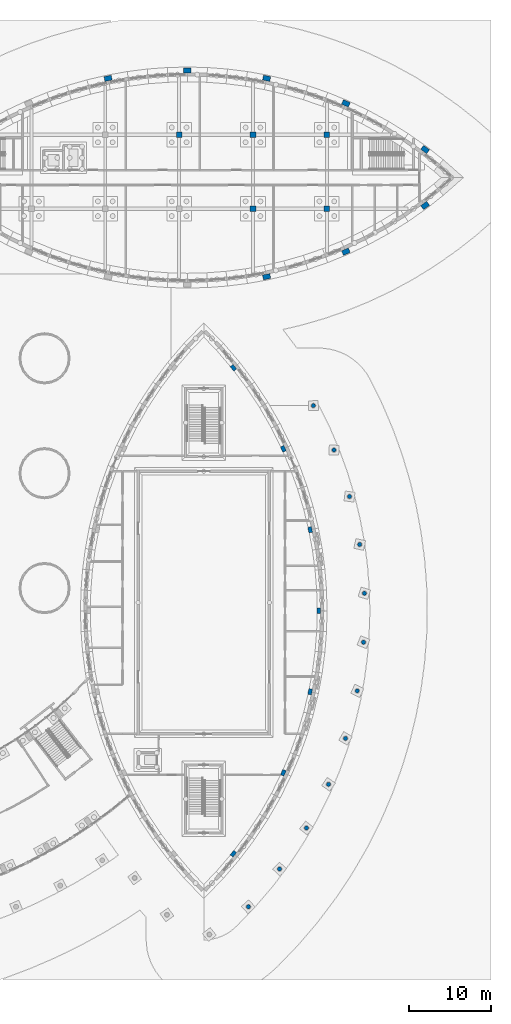
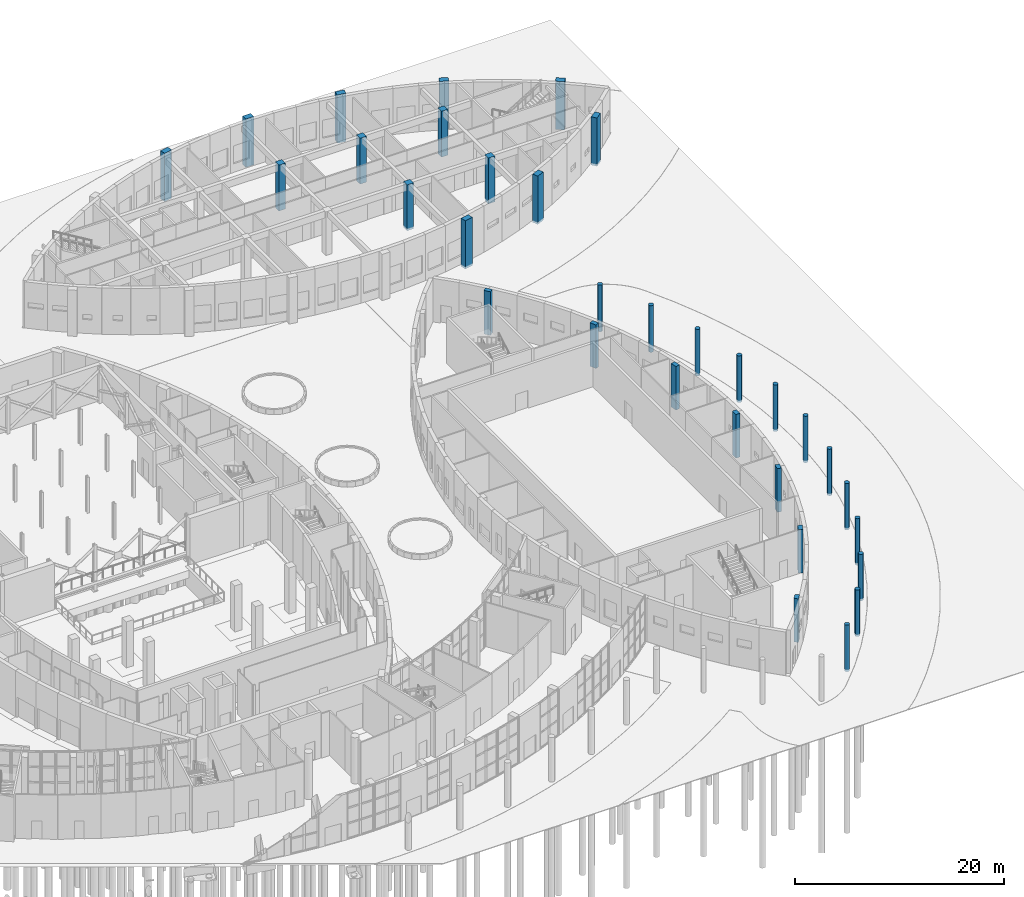
# One storey, part 17 of 82: 32 columns.
"""IFC4 building model written with IfcOpenShell, lengths in metres."""

from ifc_helpers import new_model, si_unit, direction, frame, origin, origin_2d, place, context, subcontext, project, spatial, rectangle, circle, extrude, material, material_profile, profile_set, type_object, element, save


model = new_model("IFC4")

# Units and contexts
model_context = context("Model", 3, precision=1e-05, world=origin(), true_north=direction((0.0, 1.0)))
body_context = subcontext(model_context, "Body", "Model", "MODEL_VIEW")
ifc_project = project(units=[si_unit("LENGTHUNIT", "METRE"), si_unit("AREAUNIT", "SQUARE_METRE"), si_unit("VOLUMEUNIT", "CUBIC_METRE"), si_unit("PLANEANGLEUNIT", "RADIAN"), si_unit("MASSUNIT", "GRAM", prefix="KILO")], contexts=[model_context])

# Site, building, storey
site_placement = place(None, origin())
site = spatial("IfcSite", under=ifc_project, at=site_placement, CompositionType="ELEMENT")
building_placement = place(site_placement, origin())
building = spatial("IfcBuilding", under=site, at=building_placement, Name="Tide Square Theatres", CompositionType="ELEMENT")
storey_placement = place(building_placement, origin())
storey = spatial("IfcBuildingStorey", under=building, at=storey_placement, Name="L00", CompositionType="ELEMENT", Elevation=0.0)

# Columns
ifc_material_1 = material(Name="Concrete C40", Category="concrete")
ifc_material_profile_1 = material_profile(ifc_material_1, rectangle(XDim=0.699951171875, YDim=0.699951171875, at=origin_2d()))
ifc_profile_set_1 = profile_set([ifc_material_profile_1], Name="Concrete C40")
column_type_1 = type_object("IfcColumnType", Name="RC column 700 x 700", PredefinedType="COLUMN", material=ifc_profile_set_1)
for number, where, z_axis, x_axis, name in (
    (1, (129.0, 103.0, -0.25), (0.0, 0.0, 1.0), (1.0, 0.0, 0.0), "Rehearsal Block frame column 5"),
    (2, (138.0, 94.0, -0.25), (0.0, 0.0, 1.0), (1.0, 0.0, 0.0), "Rehearsal Block frame column 6"),
    (3, (138.0, 103.0, -0.25), (0.0, 0.0, 1.0), (1.0, 0.0, 0.0), "Rehearsal Block frame column 7"),
    (4, (147.0, 94.0, -0.25), (0.0, 0.0, 1.0), (1.0, 0.0, 0.0), "Rehearsal Block frame column 8"),
    (5, (147.0, 103.0, -0.25), (0.0, 0.0, 1.0), (1.0, 0.0, 0.0), "Rehearsal Block frame column 9"),
):
    element("IfcColumn", number, at=place(storey_placement, frame(where, z_axis=z_axis, x_axis=x_axis)), inside=storey, type_object=column_type_1, Name=name, PredefinedType="COLUMN", context=body_context, shape_type="SweptSolid", body=[
        extrude(rectangle(XDim=0.699951171875, YDim=0.699951171875, at=origin_2d()), origin(), (0.0, 0.0, 1.0), 5.3701171875),
    ])
ifc_material_2 = material(Name="Concrete C40", Category="concrete")
ifc_material_profile_2 = material_profile(ifc_material_2, rectangle(XDim=0.699951171875, YDim=0.449951171875, at=origin_2d()))
ifc_profile_set_2 = profile_set([ifc_material_profile_2], Name="Concrete C40")
column_type_2 = type_object("IfcColumnType", Name="RC pier 700 x 450", PredefinedType="PILASTER", material=ifc_profile_set_2)
for number, where, z_axis, x_axis, name in (
    (6, (135.609375, 15.390869140625, 0.0), (0.0, 0.0, 1.0), (0.625818839057, 0.779968448517, 0.0), "Black Box Theatre wall pier"),
    (7, (141.694091796875, 25.261474609375, 0.0), (0.0, 0.0, 1.0), (0.419559661178, 0.907727762444, 0.0), "Black Box Theatre wall pier"),
    (8, (144.962646484375, 35.130615234375, 0.0), (0.0, 0.0, 1.0), (0.20956121082, 0.977795530221, 0.0), "Black Box Theatre wall pier"),
    (9, (146.001953125, 45.0, 0.0), (0.0, 0.0, 1.0), (0.0, 1.0, 0.0), "Black Box Theatre wall pier"),
    (10, (144.962646484375, 54.869384765625, 0.0), (0.0, 0.0, 1.0), (-0.20956121082, 0.977795530221, 0.0), "Black Box Theatre wall pier"),
    (11, (141.694091796875, 64.738525390625, 0.0), (0.0, 0.0, 1.0), (-0.419559661178, 0.907727762444, 0.0), "Black Box Theatre wall pier"),
    (12, (135.609375, 74.609130859375, 0.0), (0.0, 0.0, 1.0), (-0.625818839057, 0.779968448517, 0.0), "Black Box Theatre wall pier"),
):
    element("IfcColumn", number, at=place(storey_placement, frame(where, z_axis=z_axis, x_axis=x_axis)), inside=storey, type_object=column_type_2, Name=name, PredefinedType="PILASTER", context=body_context, shape_type="SweptSolid", body=[
        extrude(rectangle(XDim=0.699951171875, YDim=0.449951171875, at=origin_2d()), origin(), (0.0, 0.0, 1.0), 5.10009765625),
    ])
ifc_material_3 = material(Name="Concrete C40", Category="concrete")
ifc_material_profile_3 = material_profile(ifc_material_3, rectangle(XDim=0.89990234375, YDim=0.60009765625, at=origin_2d()))
ifc_profile_set_3 = profile_set([ifc_material_profile_3], Name="Concrete C40")
column_type_3 = type_object("IfcColumnType", Name="RC pier 900 x 600", PredefinedType="PILASTER", material=ifc_profile_set_3)
for number, where, z_axis, x_axis, name in (
    (13, (139.660400390625, 85.707275390625, -0.25), (0.0, 0.0, 1.0), (0.979575047818, 0.201078904144, 0.0), "Rehearsal Block rib pier 5"),
    (14, (149.321044921875, 88.76416015625, -0.25), (0.0, 0.0, 1.0), (0.915419314521, 0.402501526211, 0.0), "Rehearsal Block rib pier 6"),
    (15, (158.97900390625, 94.390625, -0.25), (0.0, 0.0, 1.0), (0.80192785119, 0.597420891403, 0.0), "Rehearsal Block rib pier 7"),
    (16, (120.339599609375, 109.892822265625, -0.25), (0.0, 0.0, 1.0), (-0.979575047818, -0.201078904144, 0.0), "Rehearsal Block rib pier 10"),
    (17, (130.0, 110.86865234375, -0.25), (0.0, 0.0, 1.0), (-1.0, 0.0, 0.0), "Rehearsal Block rib pier 11"),
    (18, (139.660400390625, 109.892822265625, -0.25), (0.0, 0.0, 1.0), (-0.979575047818, 0.201078904144, 0.0), "Rehearsal Block rib pier 12"),
    (19, (149.321044921875, 106.8359375, -0.25), (0.0, 0.0, 1.0), (-0.915419314521, 0.402501526211, 0.0), "Rehearsal Block rib pier 13"),
    (20, (158.97900390625, 101.20947265625, -0.25), (0.0, 0.0, 1.0), (-0.80192785119, 0.597420891403, 0.0), "Rehearsal Block rib pier 14"),
):
    element("IfcColumn", number, at=place(storey_placement, frame(where, z_axis=z_axis, x_axis=x_axis)), inside=storey, type_object=column_type_3, Name=name, PredefinedType="PILASTER", context=body_context, shape_type="SweptSolid", body=[
        extrude(rectangle(XDim=0.89990234375, YDim=0.60009765625, at=origin_2d()), origin(), (0.0, 0.0, 1.0), 5.64990234375),
    ])
ifc_material_4 = material(Name="Concrete C40", Category="concrete")
ifc_material_profile_4 = material_profile(ifc_material_4, circle(Radius=0.25, at=origin_2d()))
ifc_profile_set_4 = profile_set([ifc_material_profile_4], Name="Concrete C40")
column_type_4 = type_object("IfcColumnType", Name="RC round column D500", PredefinedType="COLUMN", material=ifc_profile_set_4)
for number, where, z_axis, x_axis, name in (
    (21, (137.438720703125, 8.92529296875, -0.25), (0.0, 0.0, 1.0), (1.0, 0.0, 0.0), "Arcade column"),
    (22, (141.24365234375, 13.525634765625, -0.25), (0.0, 0.0, 1.0), (1.0, 0.0, 0.0), "Arcade column"),
    (23, (144.512451171875, 18.520751953125, -0.25), (0.0, 0.0, 1.0), (1.0, 0.0, 0.0), "Arcade column"),
    (24, (147.205810546875, 23.848388671875, -0.25), (0.0, 0.0, 1.0), (1.0, 0.0, 0.0), "Arcade column"),
    (25, (149.27587890625, 29.447998046875, -0.25), (0.0, 0.0, 1.0), (1.0, 0.0, 0.0), "Arcade column"),
    (26, (150.704833984375, 35.24462890625, -0.25), (0.0, 0.0, 1.0), (1.0, 0.0, 0.0), "Arcade column"),
    (27, (151.47265625, 41.1650390625, -0.25), (0.0, 0.0, 1.0), (1.0, 0.0, 0.0), "Arcade column"),
    (28, (151.57275390625, 47.134521484375, -0.25), (0.0, 0.0, 1.0), (1.0, 0.0, 0.0), "Arcade column"),
    (29, (151.00390625, 53.078369140625, -0.25), (0.0, 0.0, 1.0), (1.0, 0.0, 0.0), "Arcade column"),
    (30, (149.7646484375, 58.919921875, -0.25), (0.0, 0.0, 1.0), (1.0, 0.0, 0.0), "Arcade column"),
    (31, (147.872802734375, 64.583740234375, -0.25), (0.0, 0.0, 1.0), (1.0, 0.0, 0.0), "Arcade column"),
    (32, (145.357666015625, 70.0, -0.25), (0.0, 0.0, 1.0), (1.0, 0.0, 0.0), "Arcade column"),
):
    element("IfcColumn", number, at=place(storey_placement, frame(where, z_axis=z_axis, x_axis=x_axis)), inside=storey, type_object=column_type_4, Name=name, PredefinedType="COLUMN", context=body_context, shape_type="SweptSolid", body=[
        extrude(circle(Radius=0.25, at=origin_2d()), origin(), (0.0, 0.0, 1.0), 5.449951171875),
    ])

save(model, "model.ifc")
